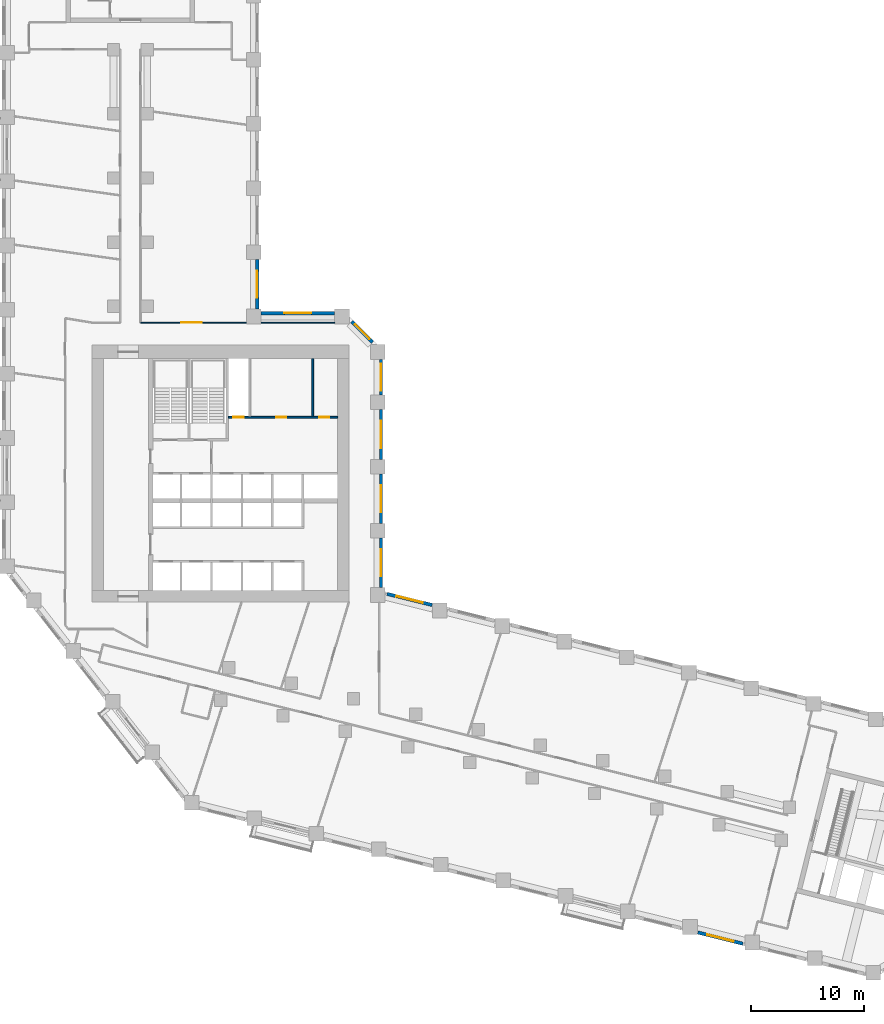
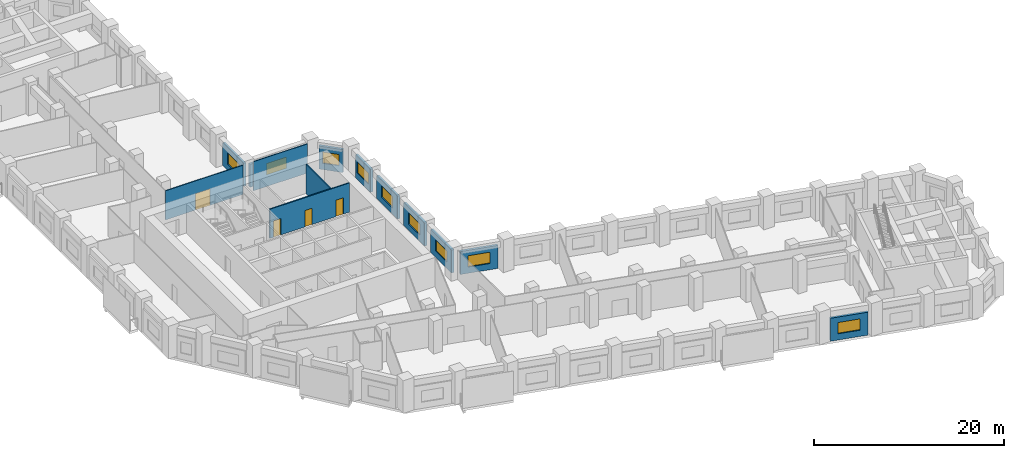
# One storey, part 6 of 11: 13 walls, 9 windows, 4 doors, 13 openings.
"""IFC4 building model written with IfcOpenShell, lengths in metres."""

from ifc_helpers import new_model, si_unit, direction, frame, frame_2d, origin, place, context, subcontext, project, spatial, rectangle, extrude, material, layer, layer_set, type_object, element, fill, save


model = new_model("IFC4")

# Units and contexts
model_context = context("Model", 3, precision=1e-05, world=origin(), true_north=direction((0.0, 1.0)))
body_context = subcontext(model_context, "Body", "Model", "MODEL_VIEW")
ifc_project = project(units=[si_unit("LENGTHUNIT", "METRE"), si_unit("AREAUNIT", "SQUARE_METRE"), si_unit("VOLUMEUNIT", "CUBIC_METRE"), si_unit("PLANEANGLEUNIT", "RADIAN"), si_unit("MASSUNIT", "GRAM", prefix="KILO")], contexts=[model_context])

# Site, building, storey
site_placement = place(None, origin())
site = spatial("IfcSite", under=ifc_project, at=site_placement, CompositionType="ELEMENT")
building_placement = place(site_placement, origin())
building = spatial("IfcBuilding", under=site, at=building_placement, Name="Meshkara Civic Tower", CompositionType="ELEMENT")
storey_placement = place(building_placement, frame((0.0, 0.0, 151.800048828125)))
storey = spatial("IfcBuildingStorey", under=building, at=storey_placement, Name="L34", CompositionType="ELEMENT", Elevation=151.800048828125)

# Wall, openings, doors
ifc_material_1 = material(Name="Blockwork", Category="masonry")
ifc_layer_1 = layer(ifc_material_1, 0.14990234375)
ifc_layer_set_1 = layer_set([ifc_layer_1], Name="Core partition 150")
wall_type_1 = type_object("IfcWallType", Name="Core partition 150", PredefinedType="PARTITIONING", material=ifc_layer_set_1)
wall_1_placement = place(storey_placement, frame((20.10009765625, 30.5, 0.0), z_axis=(0.0, 0.0, 1.0), x_axis=(1.0, 0.0, 0.0)))
wall_1 = element("IfcWall", 1, at=wall_1_placement, inside=storey, type_object=wall_type_1, Name="L34-C010", PredefinedType="PARTITIONING", context=body_context, shape_type="SweptSolid", body=[
    extrude(rectangle(XDim=9.699951171875, YDim=0.14990234375, at=frame_2d((4.85009765625, 0.0))), origin(), (0.0, 0.0, 1.0), 3.75),
])
opening_1_placement = place(wall_1_placement, frame((0.449951171875, 0.0, 0.0)))
opening_1 = element("IfcOpeningElement", 2, at=opening_1_placement, cuts=wall_1, Name="Opening L34-K010", PredefinedType="OPENING", context=body_context, shape_type="SweptSolid", body=[
    extrude(rectangle(XDim=0.89990234375, YDim=2.10009765625, at=frame_2d((0.449951171875, 1.050048828125))), frame((0.0, 0.0849609375, 0.0), z_axis=(0.0, -1.0, 0.0), x_axis=(1.0, 0.0, 0.0)), (0.0, 0.0, 1.0), 0.169921875),
])
opening_2_placement = place(wall_1_placement, frame((4.25, 0.0, 0.0)))
opening_2 = element("IfcOpeningElement", 3, at=opening_2_placement, cuts=wall_1, Name="Opening L34-K011", PredefinedType="OPENING", context=body_context, shape_type="SweptSolid", body=[
    extrude(rectangle(XDim=0.89990234375, YDim=2.10009765625, at=frame_2d((0.449951171875, 1.050048828125))), frame((0.0, 0.0849609375, 0.0), z_axis=(0.0, -1.0, 0.0), x_axis=(1.0, 0.0, 0.0)), (0.0, 0.0, 1.0), 0.169921875),
])
opening_3_placement = place(wall_1_placement, frame((8.050048828125, 0.0, 0.0)))
opening_3 = element("IfcOpeningElement", 4, at=opening_3_placement, cuts=wall_1, Name="Opening L34-K012", PredefinedType="OPENING", context=body_context, shape_type="SweptSolid", body=[
    extrude(rectangle(XDim=0.89990234375, YDim=2.10009765625, at=frame_2d((0.449951171875, 1.050048828125))), frame((0.0, 0.0849609375, 0.0), z_axis=(0.0, -1.0, 0.0), x_axis=(1.0, 0.0, 0.0)), (0.0, 0.0, 1.0), 0.169921875),
])
ifc_material_2 = material(Name="Timber door leaf in steel frame", Category="steel")
door_type_1 = type_object("IfcDoorType", Name="Core room door 900", OperationType="SINGLE_SWING_LEFT", PredefinedType="DOOR", material=ifc_material_2)
door_1_placement = place(opening_2_placement, origin())
door_1 = element("IfcDoor", 5, at=door_1_placement, inside=storey, type_object=door_type_1, Name="L34-K011", OperationType="SINGLE_SWING_RIGHT", OverallHeight=2.10009765625, OverallWidth=0.89990234375, PredefinedType="DOOR", context=body_context, shape_type="SweptSolid", body=[
    extrude(rectangle(XDim=0.89990234375, YDim=2.10009765625, at=frame_2d((0.449951171875, 1.050048828125))), frame((0.0, 0.02490234375, 0.0), z_axis=(0.0, -1.0, 0.0), x_axis=(1.0, 0.0, 0.0)), (0.0, 0.0, 1.0), 0.050048828125),
])
fill(opening_2, door_1)
door_2_placement = place(opening_3_placement, origin())
door_2 = element("IfcDoor", 6, at=door_2_placement, inside=storey, type_object=door_type_1, Name="L34-K012", OperationType="SINGLE_SWING_RIGHT", OverallHeight=2.10009765625, OverallWidth=0.89990234375, PredefinedType="DOOR", context=body_context, shape_type="SweptSolid", body=[
    extrude(rectangle(XDim=0.89990234375, YDim=2.10009765625, at=frame_2d((0.449951171875, 1.050048828125))), frame((0.0, 0.02490234375, 0.0), z_axis=(0.0, -1.0, 0.0), x_axis=(1.0, 0.0, 0.0)), (0.0, 0.0, 1.0), 0.050048828125),
])
fill(opening_3, door_2)
ifc_material_3 = material(Name="Fire-rated door leaf in steel frame", Category="steel")
door_type_2 = type_object("IfcDoorType", Name="Riser door 900", OperationType="SINGLE_SWING_LEFT", PredefinedType="DOOR", material=ifc_material_3)
door_3_placement = place(opening_1_placement, origin())
door_3 = element("IfcDoor", 7, at=door_3_placement, inside=storey, type_object=door_type_2, Name="L34-K010", OperationType="SINGLE_SWING_RIGHT", OverallHeight=2.10009765625, OverallWidth=0.89990234375, PredefinedType="DOOR", context=body_context, shape_type="SweptSolid", body=[
    extrude(rectangle(XDim=0.89990234375, YDim=2.10009765625, at=frame_2d((0.449951171875, 1.050048828125))), frame((0.0, 0.02490234375, 0.0), z_axis=(0.0, -1.0, 0.0), x_axis=(1.0, 0.0, 0.0)), (0.0, 0.0, 1.0), 0.050048828125),
])
fill(opening_1, door_3)

# Wall
wall_2_placement = place(storey_placement, frame((27.60009765625, 30.574951171875, 0.0), z_axis=(0.0, 0.0, 1.0), x_axis=(0.0, 1.0, 0.0)))
element("IfcWall", 8, at=wall_2_placement, inside=storey, type_object=wall_type_1, Name="L34-C025", PredefinedType="PARTITIONING", context=body_context, shape_type="SweptSolid", body=[
    extrude(rectangle(XDim=5.125, YDim=0.14990234375, at=frame_2d((2.5625, 0.0))), origin(), (0.0, 0.0, 1.0), 3.75),
])

# Wall, opening, door
ifc_material_4 = material(Name="Corridor wall 100")
ifc_layer_2 = layer(ifc_material_4, 0.10009765625)
ifc_layer_set_2 = layer_set([ifc_layer_2], Name="Corridor wall 100")
wall_type_2 = type_object("IfcWallType", Name="Corridor wall 100", PredefinedType="PARTITIONING", material=ifc_layer_set_2)
wall_3_placement = place(storey_placement, frame((21.699951171875, 38.89990234375, 0.0), z_axis=(0.0, 0.0, 1.0), x_axis=(-1.0, 0.0, 0.0)))
wall_3 = element("IfcWall", 9, at=wall_3_placement, inside=storey, type_object=wall_type_2, Name="L34-W019", PredefinedType="PARTITIONING", context=body_context, shape_type="SweptSolid", body=[
    extrude(rectangle(XDim=9.39990234375, YDim=0.10009765625, at=frame_2d((4.699951171875, 0.0))), origin(), (0.0, 0.0, 1.0), 3.75),
])
opening_4_placement = place(wall_3_placement, frame((3.97998046875, 0.0, 0.0)))
opening_4 = element("IfcOpeningElement", 10, at=opening_4_placement, cuts=wall_3, Name="Opening L34-D019", PredefinedType="OPENING", context=body_context, shape_type="SweptSolid", body=[
    extrude(rectangle(XDim=1.800048828125, YDim=2.10009765625, at=frame_2d((0.89990234375, 1.050048828125))), frame((0.0, 0.06005859375, 0.0), z_axis=(0.0, -1.0, 0.0), x_axis=(1.0, 0.0, 0.0)), (0.0, 0.0, 1.0), 0.1201171875),
])
ifc_material_5 = material(Name="Door pair 1800 x 2100")
door_type_3 = type_object("IfcDoorType", Name="Door pair 1800 x 2100", OperationType="SINGLE_SWING_LEFT", PredefinedType="DOOR", material=ifc_material_5)
door_4_placement = place(opening_4_placement, origin())
door_4 = element("IfcDoor", 11, at=door_4_placement, inside=storey, type_object=door_type_3, Name="L34-D019", OperationType="DOUBLE_DOOR_SINGLE_SWING", OverallHeight=2.10009765625, OverallWidth=1.800048828125, PredefinedType="DOOR", context=body_context, shape_type="SweptSolid", body=[
    extrude(rectangle(XDim=1.800048828125, YDim=2.10009765625, at=frame_2d((0.89990234375, 1.050048828125))), frame((0.0, 0.02490234375, 0.0), z_axis=(0.0, -1.0, 0.0), x_axis=(1.0, 0.0, 0.0)), (0.0, 0.0, 1.0), 0.050048828125),
])
fill(opening_4, door_4)

# Wall
wall_4_placement = place(storey_placement, frame((29.5439453125, 38.89990234375, 0.0), z_axis=(0.0, 0.0, 1.0), x_axis=(-1.0, 0.0, 0.0)))
element("IfcWall", 12, at=wall_4_placement, inside=storey, type_object=wall_type_2, Name="L34-W020", PredefinedType="PARTITIONING", context=body_context, shape_type="SweptSolid", body=[
    extrude(rectangle(XDim=6.5439453125, YDim=0.10009765625, at=frame_2d((3.27197265625, 0.0))), origin(), (0.0, 0.0, 1.0), 3.75),
])

# Wall, opening, window
ifc_material_6 = material(Name="Insulated infill panel with bronze anodised aluminium cladding", Category="aluminium")
ifc_layer_3 = layer(ifc_material_6, 0.300048828125)
ifc_layer_set_3 = layer_set([ifc_layer_3], Name="EXTERNAL INFILL WALL 300")
wall_type_3 = type_object("IfcWallType", Name="EXTERNAL INFILL WALL 300", PredefinedType="SOLIDWALL", material=ifc_layer_set_3)
wall_5_placement = place(storey_placement, frame((38.18896484375, 13.822021484375, 0.0), z_axis=(0.0, 0.0, 1.0), x_axis=(-0.970281616392, 0.241978480223, 0.0)))
wall_5 = element("IfcWall", 13, at=wall_5_placement, inside=storey, type_object=wall_type_3, Name="External wall", PredefinedType="SOLIDWALL", context=body_context, shape_type="SweptSolid", body=[
    extrude(rectangle(XDim=4.12451171875, YDim=0.300048828125, at=frame_2d((2.062255859375, 0.0))), origin(), (0.0, 0.0, 1.0), 2.949951171875),
])
opening_5_placement = place(wall_5_placement, frame((0.862060546875, 0.0, 0.800048828125)))
opening_5 = element("IfcOpeningElement", 14, at=opening_5_placement, cuts=wall_5, Name="Opening W8", PredefinedType="OPENING", context=body_context, shape_type="SweptSolid", body=[
    extrude(rectangle(XDim=2.39990234375, YDim=1.449951171875, at=frame_2d((1.199951171875, 0.72509765625))), frame((0.0, 0.159912109375, 0.0), z_axis=(0.0, -1.0, 0.0), x_axis=(1.0, 0.0, 0.0)), (0.0, 0.0, 1.0), 0.320068359375),
])
ifc_material_7 = material(Name="Tinted double glazing", Category="glass")
window_type_1 = type_object("IfcWindowType", Name="WINDOW 2400x1450", PartitioningType="DOUBLE_PANEL_VERTICAL", PredefinedType="WINDOW", material=ifc_material_7)
window_1_placement = place(opening_5_placement, origin())
window_1 = element("IfcWindow", 15, at=window_1_placement, inside=storey, type_object=window_type_1, Name="Window", OverallHeight=1.449951171875, OverallWidth=2.39990234375, PartitioningType="DOUBLE_PANEL_VERTICAL", PredefinedType="WINDOW", context=body_context, shape_type="SweptSolid", body=[
    extrude(rectangle(XDim=2.39990234375, YDim=1.449951171875, at=frame_2d((1.199951171875, 0.72509765625))), frame((0.0, 0.030029296875, 0.0), z_axis=(0.0, -1.0, 0.0), x_axis=(1.0, 0.0, 0.0)), (0.0, 0.0, 1.0), 0.06005859375),
])
fill(opening_5, window_1)

wall_6_placement = place(storey_placement, frame((33.64990234375, 15.368896484375, 0.0), z_axis=(0.0, 0.0, 1.0), x_axis=(0.0, 1.0, 0.0)))
wall_6 = element("IfcWall", 16, at=wall_6_placement, inside=storey, type_object=wall_type_3, Name="External wall", PredefinedType="SOLIDWALL", context=body_context, shape_type="SweptSolid", body=[
    extrude(rectangle(XDim=4.400146484375, YDim=0.300048828125, at=frame_2d((2.2001953125, 0.0))), origin(), (0.0, 0.0, 1.0), 2.949951171875),
])
opening_6_placement = place(wall_6_placement, frame((1.0, 0.0, 0.800048828125)))
opening_6 = element("IfcOpeningElement", 17, at=opening_6_placement, cuts=wall_6, Name="Opening W8", PredefinedType="OPENING", context=body_context, shape_type="SweptSolid", body=[
    extrude(rectangle(XDim=2.39990234375, YDim=1.449951171875, at=frame_2d((1.199951171875, 0.72509765625))), frame((0.0, 0.159912109375, 0.0), z_axis=(0.0, -1.0, 0.0), x_axis=(1.0, 0.0, 0.0)), (0.0, 0.0, 1.0), 0.320068359375),
])
window_2_placement = place(opening_6_placement, origin())
window_2 = element("IfcWindow", 18, at=window_2_placement, inside=storey, type_object=window_type_1, Name="Window", OverallHeight=1.449951171875, OverallWidth=2.39990234375, PartitioningType="DOUBLE_PANEL_VERTICAL", PredefinedType="WINDOW", context=body_context, shape_type="SweptSolid", body=[
    extrude(rectangle(XDim=2.39990234375, YDim=1.449951171875, at=frame_2d((1.199951171875, 0.72509765625))), frame((0.0, 0.030029296875, 0.0), z_axis=(0.0, -1.0, 0.0), x_axis=(1.0, 0.0, 0.0)), (0.0, 0.0, 1.0), 0.06005859375),
])
fill(opening_6, window_2)

wall_7_placement = place(storey_placement, frame((33.64990234375, 21.069091796875, 0.0), z_axis=(0.0, 0.0, 1.0), x_axis=(0.0, 1.0, 0.0)))
wall_7 = element("IfcWall", 19, at=wall_7_placement, inside=storey, type_object=wall_type_3, Name="External wall", PredefinedType="SOLIDWALL", context=body_context, shape_type="SweptSolid", body=[
    extrude(rectangle(XDim=4.39990234375, YDim=0.300048828125, at=frame_2d((2.199951171875, 0.0))), origin(), (0.0, 0.0, 1.0), 2.949951171875),
])
opening_7_placement = place(wall_7_placement, frame((1.0, 0.0, 0.800048828125)))
opening_7 = element("IfcOpeningElement", 20, at=opening_7_placement, cuts=wall_7, Name="Opening W8", PredefinedType="OPENING", context=body_context, shape_type="SweptSolid", body=[
    extrude(rectangle(XDim=2.39990234375, YDim=1.449951171875, at=frame_2d((1.199951171875, 0.72509765625))), frame((0.0, 0.159912109375, 0.0), z_axis=(0.0, -1.0, 0.0), x_axis=(1.0, 0.0, 0.0)), (0.0, 0.0, 1.0), 0.320068359375),
])
window_3_placement = place(opening_7_placement, origin())
window_3 = element("IfcWindow", 21, at=window_3_placement, inside=storey, type_object=window_type_1, Name="Window", OverallHeight=1.449951171875, OverallWidth=2.39990234375, PartitioningType="DOUBLE_PANEL_VERTICAL", PredefinedType="WINDOW", context=body_context, shape_type="SweptSolid", body=[
    extrude(rectangle(XDim=2.39990234375, YDim=1.449951171875, at=frame_2d((1.199951171875, 0.72509765625))), frame((0.0, 0.030029296875, 0.0), z_axis=(0.0, -1.0, 0.0), x_axis=(1.0, 0.0, 0.0)), (0.0, 0.0, 1.0), 0.06005859375),
])
fill(opening_7, window_3)

wall_8_placement = place(storey_placement, frame((33.64990234375, 26.76904296875, 0.0), z_axis=(0.0, 0.0, 1.0), x_axis=(0.0, 1.0, 0.0)))
wall_8 = element("IfcWall", 22, at=wall_8_placement, inside=storey, type_object=wall_type_3, Name="External wall", PredefinedType="SOLIDWALL", context=body_context, shape_type="SweptSolid", body=[
    extrude(rectangle(XDim=4.39990234375, YDim=0.300048828125, at=frame_2d((2.199951171875, 0.0))), origin(), (0.0, 0.0, 1.0), 2.949951171875),
])
opening_8_placement = place(wall_8_placement, frame((1.0, 0.0, 0.800048828125)))
opening_8 = element("IfcOpeningElement", 23, at=opening_8_placement, cuts=wall_8, Name="Opening W8", PredefinedType="OPENING", context=body_context, shape_type="SweptSolid", body=[
    extrude(rectangle(XDim=2.39990234375, YDim=1.449951171875, at=frame_2d((1.199951171875, 0.72509765625))), frame((0.0, 0.159912109375, 0.0), z_axis=(0.0, -1.0, 0.0), x_axis=(1.0, 0.0, 0.0)), (0.0, 0.0, 1.0), 0.320068359375),
])
window_4_placement = place(opening_8_placement, origin())
window_4 = element("IfcWindow", 24, at=window_4_placement, inside=storey, type_object=window_type_1, Name="Window", OverallHeight=1.449951171875, OverallWidth=2.39990234375, PartitioningType="DOUBLE_PANEL_VERTICAL", PredefinedType="WINDOW", context=body_context, shape_type="SweptSolid", body=[
    extrude(rectangle(XDim=2.39990234375, YDim=1.449951171875, at=frame_2d((1.199951171875, 0.72509765625))), frame((0.0, 0.030029296875, 0.0), z_axis=(0.0, -1.0, 0.0), x_axis=(1.0, 0.0, 0.0)), (0.0, 0.0, 1.0), 0.06005859375),
])
fill(opening_8, window_4)

wall_9_placement = place(storey_placement, frame((33.64990234375, 32.468994140625, 0.0), z_axis=(0.0, 0.0, 1.0), x_axis=(0.0, 1.0, 0.0)))
wall_9 = element("IfcWall", 25, at=wall_9_placement, inside=storey, type_object=wall_type_3, Name="External wall", PredefinedType="SOLIDWALL", context=body_context, shape_type="SweptSolid", body=[
    extrude(rectangle(XDim=3.175048828125, YDim=0.300048828125, at=frame_2d((1.58740234375, 0.0))), origin(), (0.0, 0.0, 1.0), 2.949951171875),
])
opening_9_placement = place(wall_9_placement, frame((0.387939453125, 0.0, 0.800048828125)))
opening_9 = element("IfcOpeningElement", 26, at=opening_9_placement, cuts=wall_9, Name="Opening W8", PredefinedType="OPENING", context=body_context, shape_type="SweptSolid", body=[
    extrude(rectangle(XDim=2.39990234375, YDim=1.449951171875, at=frame_2d((1.199951171875, 0.72509765625))), frame((0.0, 0.159912109375, 0.0), z_axis=(0.0, -1.0, 0.0), x_axis=(1.0, 0.0, 0.0)), (0.0, 0.0, 1.0), 0.320068359375),
])
window_5_placement = place(opening_9_placement, origin())
window_5 = element("IfcWindow", 27, at=window_5_placement, inside=storey, type_object=window_type_1, Name="Window", OverallHeight=1.449951171875, OverallWidth=2.39990234375, PartitioningType="DOUBLE_PANEL_VERTICAL", PredefinedType="WINDOW", context=body_context, shape_type="SweptSolid", body=[
    extrude(rectangle(XDim=2.39990234375, YDim=1.449951171875, at=frame_2d((1.199951171875, 0.72509765625))), frame((0.0, 0.030029296875, 0.0), z_axis=(0.0, -1.0, 0.0), x_axis=(1.0, 0.0, 0.0)), (0.0, 0.0, 1.0), 0.06005859375),
])
fill(opening_9, window_5)

wall_10_placement = place(storey_placement, frame((32.912109375, 37.156005859375, 0.0), z_axis=(0.0, 0.0, 1.0), x_axis=(-0.707153284542, 0.707060274772, 0.0)))
wall_10 = element("IfcWall", 28, at=wall_10_placement, inside=storey, type_object=wall_type_3, Name="External wall", PredefinedType="SOLIDWALL", context=body_context, shape_type="SweptSolid", body=[
    extrude(rectangle(XDim=2.625, YDim=0.300048828125, at=frame_2d((1.3125, 0.0))), origin(), (0.0, 0.0, 1.0), 2.949951171875),
])
opening_10_placement = place(wall_10_placement, frame((0.412109375, 0.0, 0.800048828125)))
opening_10 = element("IfcOpeningElement", 29, at=opening_10_placement, cuts=wall_10, Name="Opening W10", PredefinedType="OPENING", context=body_context, shape_type="SweptSolid", body=[
    extrude(rectangle(XDim=1.800048828125, YDim=1.449951171875, at=frame_2d((0.89990234375, 0.72509765625))), frame((0.0, 0.159912109375, 0.0), z_axis=(0.0, -1.0, 0.0), x_axis=(1.0, 0.0, 0.0)), (0.0, 0.0, 1.0), 0.320068359375),
])
ifc_material_8 = material(Name="Tinted double glazing", Category="glass")
window_type_2 = type_object("IfcWindowType", Name="WINDOW 1800x1450", PartitioningType="DOUBLE_PANEL_VERTICAL", PredefinedType="WINDOW", material=ifc_material_8)
window_6_placement = place(opening_10_placement, origin())
window_6 = element("IfcWindow", 30, at=window_6_placement, inside=storey, type_object=window_type_2, Name="Window", OverallHeight=1.449951171875, OverallWidth=1.800048828125, PartitioningType="DOUBLE_PANEL_VERTICAL", PredefinedType="WINDOW", context=body_context, shape_type="SweptSolid", body=[
    extrude(rectangle(XDim=1.800048828125, YDim=1.449951171875, at=frame_2d((0.89990234375, 0.72509765625))), frame((0.0, 0.030029296875, 0.0), z_axis=(0.0, -1.0, 0.0), x_axis=(1.0, 0.0, 0.0)), (0.0, 0.0, 1.0), 0.06005859375),
])
fill(opening_10, window_6)

wall_11_placement = place(storey_placement, frame((29.5439453125, 39.75, 0.0), z_axis=(0.0, 0.0, 1.0), x_axis=(-1.0, 0.0, 0.0)))
wall_11 = element("IfcWall", 31, at=wall_11_placement, inside=storey, type_object=wall_type_3, Name="External wall", PredefinedType="SOLIDWALL", context=body_context, shape_type="SweptSolid", body=[
    extrude(rectangle(XDim=6.5439453125, YDim=0.300048828125, at=frame_2d((3.27197265625, 0.0))), origin(), (0.0, 0.0, 1.0), 2.949951171875),
])
opening_11_placement = place(wall_11_placement, frame((2.072021484375, 0.0, 0.800048828125)))
opening_11 = element("IfcOpeningElement", 32, at=opening_11_placement, cuts=wall_11, Name="Opening W8", PredefinedType="OPENING", context=body_context, shape_type="SweptSolid", body=[
    extrude(rectangle(XDim=2.39990234375, YDim=1.449951171875, at=frame_2d((1.199951171875, 0.72509765625))), frame((0.0, 0.159912109375, 0.0), z_axis=(0.0, -1.0, 0.0), x_axis=(1.0, 0.0, 0.0)), (0.0, 0.0, 1.0), 0.320068359375),
])
window_7_placement = place(opening_11_placement, origin())
window_7 = element("IfcWindow", 33, at=window_7_placement, inside=storey, type_object=window_type_1, Name="Window", OverallHeight=1.449951171875, OverallWidth=2.39990234375, PartitioningType="DOUBLE_PANEL_VERTICAL", PredefinedType="WINDOW", context=body_context, shape_type="SweptSolid", body=[
    extrude(rectangle(XDim=2.39990234375, YDim=1.449951171875, at=frame_2d((1.199951171875, 0.72509765625))), frame((0.0, 0.030029296875, 0.0), z_axis=(0.0, -1.0, 0.0), x_axis=(1.0, 0.0, 0.0)), (0.0, 0.0, 1.0), 0.06005859375),
])
fill(opening_11, window_7)

wall_12_placement = place(storey_placement, frame((22.64990234375, 40.10009765625, 0.0), z_axis=(0.0, 0.0, 1.0), x_axis=(0.0, 1.0, 0.0)))
wall_12 = element("IfcWall", 34, at=wall_12_placement, inside=storey, type_object=wall_type_3, Name="External wall", PredefinedType="SOLIDWALL", context=body_context, shape_type="SweptSolid", body=[
    extrude(rectangle(XDim=4.39990234375, YDim=0.300048828125, at=frame_2d((2.199951171875, 0.0))), origin(), (0.0, 0.0, 1.0), 2.949951171875),
])
opening_12_placement = place(wall_12_placement, frame((1.0, 0.0, 0.800048828125)))
opening_12 = element("IfcOpeningElement", 35, at=opening_12_placement, cuts=wall_12, Name="Opening W8", PredefinedType="OPENING", context=body_context, shape_type="SweptSolid", body=[
    extrude(rectangle(XDim=2.39990234375, YDim=1.449951171875, at=frame_2d((1.199951171875, 0.72509765625))), frame((0.0, 0.159912109375, 0.0), z_axis=(0.0, -1.0, 0.0), x_axis=(1.0, 0.0, 0.0)), (0.0, 0.0, 1.0), 0.320068359375),
])
window_8_placement = place(opening_12_placement, origin())
window_8 = element("IfcWindow", 36, at=window_8_placement, inside=storey, type_object=window_type_1, Name="Window", OverallHeight=1.449951171875, OverallWidth=2.39990234375, PartitioningType="DOUBLE_PANEL_VERTICAL", PredefinedType="WINDOW", context=body_context, shape_type="SweptSolid", body=[
    extrude(rectangle(XDim=2.39990234375, YDim=1.449951171875, at=frame_2d((1.199951171875, 0.72509765625))), frame((0.0, 0.030029296875, 0.0), z_axis=(0.0, -1.0, 0.0), x_axis=(1.0, 0.0, 0.0)), (0.0, 0.0, 1.0), 0.06005859375),
])
fill(opening_12, window_8)

wall_13_placement = place(storey_placement, frame((61.7890625, -15.2509765625, 0.0), z_axis=(0.0, 0.0, 1.0), x_axis=(0.970323340708, -0.24181111322, 0.0)))
wall_13 = element("IfcWall", 37, at=wall_13_placement, inside=storey, type_object=wall_type_3, Name="External wall", PredefinedType="SOLIDWALL", context=body_context, shape_type="SweptSolid", body=[
    extrude(rectangle(XDim=4.123291015625, YDim=0.300048828125, at=frame_2d((2.0615234375, 0.0))), origin(), (0.0, 0.0, 1.0), 2.949951171875),
])
opening_13_placement = place(wall_13_placement, frame((0.862060546875, 0.0, 0.800048828125)))
opening_13 = element("IfcOpeningElement", 38, at=opening_13_placement, cuts=wall_13, Name="Opening W8", PredefinedType="OPENING", context=body_context, shape_type="SweptSolid", body=[
    extrude(rectangle(XDim=2.39990234375, YDim=1.449951171875, at=frame_2d((1.199951171875, 0.72509765625))), frame((0.0, 0.159912109375, 0.0), z_axis=(0.0, -1.0, 0.0), x_axis=(1.0, 0.0, 0.0)), (0.0, 0.0, 1.0), 0.320068359375),
])
window_9_placement = place(opening_13_placement, origin())
window_9 = element("IfcWindow", 39, at=window_9_placement, inside=storey, type_object=window_type_1, Name="Window", OverallHeight=1.449951171875, OverallWidth=2.39990234375, PartitioningType="DOUBLE_PANEL_VERTICAL", PredefinedType="WINDOW", context=body_context, shape_type="SweptSolid", body=[
    extrude(rectangle(XDim=2.39990234375, YDim=1.449951171875, at=frame_2d((1.199951171875, 0.72509765625))), frame((0.0, 0.030029296875, 0.0), z_axis=(0.0, -1.0, 0.0), x_axis=(1.0, 0.0, 0.0)), (0.0, 0.0, 1.0), 0.06005859375),
])
fill(opening_13, window_9)

save(model, "model.ifc")
